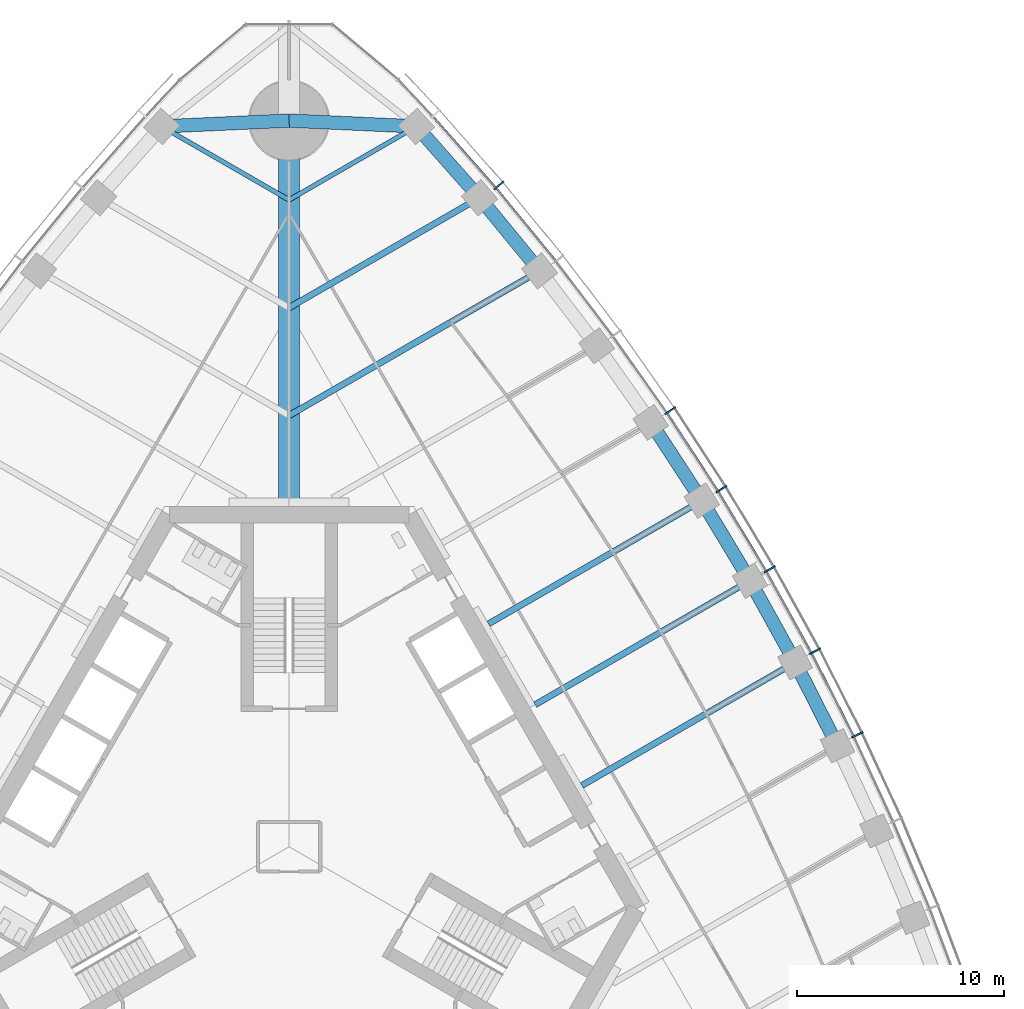
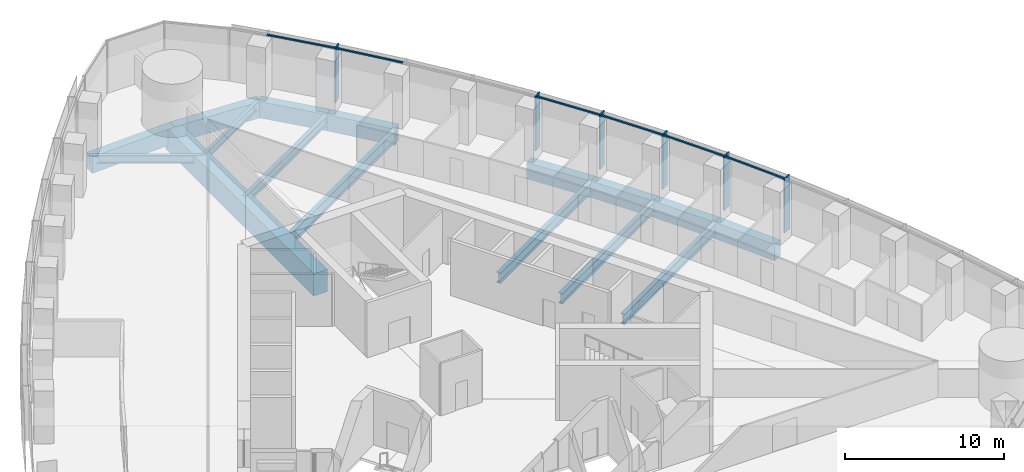
# One storey, part 6 of 21: 16 beams, 12 members, 1 element without a shape of its own.
"""IFC4 building model written with IfcOpenShell, lengths in metres."""

from ifc_helpers import new_model, si_unit, direction, frame, origin, origin_2d, place, context, subcontext, project, spatial, rectangle, i_section, extrude, material, material_profile, profile_set, type_object, element, aggregate, save


model = new_model("IFC4")

# Units and contexts
model_context = context("Model", 3, precision=1e-05, world=origin(), true_north=direction((0.0, 1.0)))
body_context = subcontext(model_context, "Body", "Model", "MODEL_VIEW")
ifc_project = project(units=[si_unit("LENGTHUNIT", "METRE"), si_unit("AREAUNIT", "SQUARE_METRE"), si_unit("VOLUMEUNIT", "CUBIC_METRE"), si_unit("PLANEANGLEUNIT", "RADIAN"), si_unit("MASSUNIT", "GRAM", prefix="KILO")], contexts=[model_context])

# Site, building, storey
site_placement = place(None, origin())
site = spatial("IfcSite", under=ifc_project, at=site_placement, CompositionType="ELEMENT")
building_placement = place(site_placement, origin())
building = spatial("IfcBuilding", under=site, at=building_placement, Name="Trefoil Bronze Tower", CompositionType="ELEMENT")
storey_placement = place(building_placement, frame((0.0, 0.0, 149.300048828125)))
storey = spatial("IfcBuildingStorey", under=building, at=storey_placement, Name="L34", CompositionType="ELEMENT", Elevation=149.300048828125)

# Curtain wall, members
ifc_material_1 = material(Name="Tinted solar-control glass", Category="glass")
curtain_wall_type = type_object("IfcCurtainWallType", Name="Bronze office curtain wall", PredefinedType="USERDEFINED", material=ifc_material_1)
curtain_wall_placement = place(storey_placement, origin())
curtain_wall = element("IfcCurtainWall", 1, at=curtain_wall_placement, inside=storey, type_object=curtain_wall_type, Name="CW-A L34 F2", ObjectType="CURTAIN WALL", PredefinedType="USERDEFINED")
ifc_material_2 = material(Name="Bronze-finish aluminium", Category="aluminium")
ifc_material_profile_1 = material_profile(ifc_material_2, rectangle(XDim=0.60009765625, YDim=0.080078125, at=origin_2d()), Name="CW-A mullion")
ifc_profile_set_1 = profile_set([ifc_material_profile_1], Name="Bronze-finish aluminium")
member_type_1 = type_object("IfcMemberType", Name="Bronze office curtain wall mullion", PredefinedType="MULLION", material=ifc_profile_set_1)
member_1_placement = place(storey_placement, frame((27.394775390625, 5.399169921875, 0.0), z_axis=(0.0, 0.0, 1.0), x_axis=(-0.899819602033, -0.436262173236, 0.0)))
member_1 = element("IfcMember", 2, at=member_1_placement, type_object=member_type_1, Name="CW-A L34 F2 mullion 6", PredefinedType="MULLION", context=body_context, shape_type="SweptSolid", body=[
    extrude(rectangle(XDim=0.60009765625, YDim=0.080078125, at=origin_2d()), origin(), (0.0, 0.0, 1.0), 4.179931640625),
])
member_2_placement = place(storey_placement, frame((25.350830078125, 9.427734375, 0.0), z_axis=(0.0, 0.0, 1.0), x_axis=(-0.883486441467, -0.468456729853, 0.0)))
member_2 = element("IfcMember", 3, at=member_2_placement, type_object=member_type_1, Name="CW-A L34 F2 mullion 7", PredefinedType="MULLION", context=body_context, shape_type="SweptSolid", body=[
    extrude(rectangle(XDim=0.60009765625, YDim=0.080078125, at=origin_2d()), origin(), (0.0, 0.0, 1.0), 4.179931640625),
])
member_3_placement = place(storey_placement, frame((23.166015625, 13.374755859375, 0.0), z_axis=(0.0, 0.0, 1.0), x_axis=(-0.866025403784, -0.5, 0.0)))
member_3 = element("IfcMember", 4, at=member_3_placement, type_object=member_type_1, Name="CW-A L34 F2 mullion 8", PredefinedType="MULLION", context=body_context, shape_type="SweptSolid", body=[
    extrude(rectangle(XDim=0.60009765625, YDim=0.080078125, at=origin_2d()), origin(), (0.0, 0.0, 1.0), 4.179931640625),
])
member_4_placement = place(storey_placement, frame((20.840087890625, 17.24072265625, 0.0), z_axis=(0.0, 0.0, 1.0), x_axis=(-0.84743864936, -0.530893337283, 0.0)))
member_4 = element("IfcMember", 5, at=member_4_placement, type_object=member_type_1, Name="CW-A L34 F2 mullion 9", PredefinedType="MULLION", context=body_context, shape_type="SweptSolid", body=[
    extrude(rectangle(XDim=0.60009765625, YDim=0.080078125, at=origin_2d()), origin(), (0.0, 0.0, 1.0), 4.179931640625),
])
member_5_placement = place(storey_placement, frame((18.373046875, 21.025146484375, 0.0), z_axis=(0.0, 0.0, 1.0), x_axis=(-0.827723925749, -0.561135547566, 0.0)))
member_5 = element("IfcMember", 6, at=member_5_placement, type_object=member_type_1, Name="CW-A L34 F2 mullion 10", PredefinedType="MULLION", context=body_context, shape_type="SweptSolid", body=[
    extrude(rectangle(XDim=0.60009765625, YDim=0.080078125, at=origin_2d()), origin(), (0.0, 0.0, 1.0), 4.179931640625),
])
member_6_placement = place(storey_placement, frame((10.11474609375, 31.8828125, 0.0), z_axis=(0.0, 0.0, 1.0), x_axis=(-0.761721651066, -0.647904411389, 0.0)))
member_6 = element("IfcMember", 7, at=member_6_placement, type_object=member_type_1, Name="CW-A L34 F2 mullion 13", PredefinedType="MULLION", context=body_context, shape_type="SweptSolid", body=[
    extrude(rectangle(XDim=0.60009765625, YDim=0.080078125, at=origin_2d()), origin(), (0.0, 0.0, 1.0), 4.179931640625),
])
ifc_material_3 = material(Name="Bronze-finish aluminium", Category="aluminium")
ifc_material_profile_2 = material_profile(ifc_material_3, rectangle(XDim=0.1201171875, YDim=0.10009765625, at=origin_2d()), Name="CW-A transom")
ifc_profile_set_2 = profile_set([ifc_material_profile_2], Name="Bronze-finish aluminium")
member_type_2 = type_object("IfcMemberType", Name="Bronze office curtain wall transom", PredefinedType="USERDEFINED", material=ifc_profile_set_2)
member_7_placement = place(storey_placement, frame((27.196044921875, 5.34912109375, 4.1298828125), z_axis=(-0.452478489814, 0.891775317138, 0.0), x_axis=(-0.891775317138, -0.452478489814, 0.0)))
member_7 = element("IfcMember", 8, at=member_7_placement, type_object=member_type_2, Name="CW-A L34 F2 transom 6", ObjectType="TRANSOM", PredefinedType="USERDEFINED", context=body_context, shape_type="SweptSolid", body=[
    extrude(rectangle(XDim=0.1201171875, YDim=0.10009765625, at=origin_2d()), origin(), (0.0, 0.0, 1.0), 4.426513671875),
])
member_8_placement = place(storey_placement, frame((25.154052734375, 9.37060546875, 4.1298828125), z_axis=(-0.484329470343, 0.874885686337, 0.0), x_axis=(-0.874885686337, -0.484329470343, 0.0)))
member_8 = element("IfcMember", 9, at=member_8_placement, type_object=member_type_2, Name="CW-A L34 F2 transom 7", ObjectType="TRANSOM", PredefinedType="USERDEFINED", context=body_context, shape_type="SweptSolid", body=[
    extrude(rectangle(XDim=0.1201171875, YDim=0.10009765625, at=origin_2d()), origin(), (0.0, 0.0, 1.0), 4.4208984375),
])
member_9_placement = place(storey_placement, frame((22.97119140625, 13.310546875, 4.1298828125), z_axis=(-0.515526794174, 0.856873458854, 0.0), x_axis=(-0.856873458854, -0.515526794174, 0.0)))
member_9 = element("IfcMember", 10, at=member_9_placement, type_object=member_type_2, Name="CW-A L34 F2 transom 8", ObjectType="TRANSOM", PredefinedType="USERDEFINED", context=body_context, shape_type="SweptSolid", body=[
    extrude(rectangle(XDim=0.1201171875, YDim=0.10009765625, at=origin_2d()), origin(), (0.0, 0.0, 1.0), 4.4208984375),
])
member_10_placement = place(storey_placement, frame((20.647705078125, 17.16943359375, 4.1298828125), z_axis=(-0.546079336226, 0.837733465099, 0.0), x_axis=(-0.837733465099, -0.546079336226, 0.0)))
member_10 = element("IfcMember", 11, at=member_10_placement, type_object=member_type_2, Name="CW-A L34 F2 transom 9", ObjectType="TRANSOM", PredefinedType="USERDEFINED", context=body_context, shape_type="SweptSolid", body=[
    extrude(rectangle(XDim=0.1201171875, YDim=0.10009765625, at=origin_2d()), origin(), (0.0, 0.0, 1.0), 4.426513671875),
])
member_11_placement = place(storey_placement, frame((12.82861328125, 28.255615234375, 4.1298828125), z_axis=(-0.633848872297, 0.773456919995, 0.0), x_axis=(-0.773456919995, -0.633848872297, 0.0)))
member_11 = element("IfcMember", 12, at=member_11_placement, type_object=member_type_2, Name="CW-A L34 F2 transom 12", ObjectType="TRANSOM", PredefinedType="USERDEFINED", context=body_context, shape_type="SweptSolid", body=[
    extrude(rectangle(XDim=0.1201171875, YDim=0.10009765625, at=origin_2d()), origin(), (0.0, 0.0, 1.0), 4.480224609375),
])
member_12_placement = place(storey_placement, frame((9.9345703125, 31.78466796875, 4.1298828125), z_axis=(-0.66173618877, 0.749736764786, 0.0), x_axis=(-0.749736764786, -0.66173618877, 0.0)))
member_12 = element("IfcMember", 13, at=member_12_placement, type_object=member_type_2, Name="CW-A L34 F2 transom 13", ObjectType="TRANSOM", PredefinedType="USERDEFINED", context=body_context, shape_type="SweptSolid", body=[
    extrude(rectangle(XDim=0.1201171875, YDim=0.10009765625, at=origin_2d()), origin(), (0.0, 0.0, 1.0), 4.510986328125),
])
aggregate(curtain_wall, [member_1, member_2, member_3, member_4, member_5, member_6, member_7, member_8, member_9, member_10, member_11, member_12])

# Beams
ifc_material_4 = material(Name="Concrete B80", Category="concrete")
ifc_material_profile_3 = material_profile(ifc_material_4, rectangle(XDim=1.0, YDim=1.699951171875, at=origin_2d()), Name="RC 1000x1700")
ifc_profile_set_3 = profile_set([ifc_material_profile_3], Name="Concrete B80")
beam_type_1 = type_object("IfcBeamType", Name="Corner girder RC 1000x1700", PredefinedType="BEAM", material=ifc_profile_set_3)
beam_1_placement = place(storey_placement, frame((0.0, 16.39990234375, -1.050048828125), z_axis=(0.0, 1.0, 0.0), x_axis=(-1.0, 0.0, 0.0)))
element("IfcBeam", 14, at=beam_1_placement, inside=storey, type_object=beam_type_1, Name="Corner girder K2 L34", PredefinedType="BEAM", context=body_context, shape_type="SweptSolid", body=[
    extrude(rectangle(XDim=1.0, YDim=1.699951171875, at=origin_2d()), origin(), (0.0, 0.0, 1.0), 18.60009765625),
])
ifc_material_5 = material(Name="Concrete B80", Category="concrete")
ifc_material_profile_4 = material_profile(ifc_material_5, rectangle(XDim=0.64990234375, YDim=1.25, at=origin_2d()), Name="RC 650x1250")
ifc_profile_set_4 = profile_set([ifc_material_profile_4], Name="Concrete B80")
beam_type_2 = type_object("IfcBeamType", Name="End spandrel beam RC 650x1250", PredefinedType="SPANDREL", material=ifc_profile_set_4)
for number, where, z_axis, x_axis, name in (
    (15, (6.13916015625, 34.72119140625, -0.824951171875), (-0.998970341464, 0.045368015985, 0.0), (-0.045368015985, -0.998970341464, 0.0), "Spandrel F2.14 L34"),
    (16, (0.0, 35.0, -0.824951171875), (-0.998970341464, -0.045368015985, 0.0), (0.045368015985, -0.998970341464, 0.0), "Spandrel F3.1 L34"),
):
    element("IfcBeam", number, at=place(storey_placement, frame(where, z_axis=z_axis, x_axis=x_axis)), inside=storey, type_object=beam_type_2, Name=name, PredefinedType="SPANDREL", context=body_context, shape_type="SweptSolid", body=[
        extrude(rectangle(XDim=0.64990234375, YDim=1.25, at=origin_2d()), origin(), (0.0, 0.0, 1.0), 6.1455078125),
    ])
ifc_material_6 = material(Name="Steel C355", Category="steel")
ifc_material_profile_5 = material_profile(ifc_material_6, i_section(OverallWidth=0.300048828125, OverallDepth=0.699951171875, WebThickness=0.01708984375, FlangeThickness=0.031982421875, FilletRadius=0.027099609375, at=origin_2d()), Name="HEB 700")
ifc_profile_set_5 = profile_set([ifc_material_profile_5], Name="Steel C355")
beam_type_3 = type_object("IfcBeamType", Name="Floor beam HEB 700", PredefinedType="BEAM", material=ifc_profile_set_5)
beam_2_placement = place(storey_placement, frame((9.181884765625, 31.281982421875, -0.550048828125), z_axis=(-0.866021079084, -0.500007490527, 0.0), x_axis=(0.500007490527, -0.866021079084, 0.0)))
element("IfcBeam", 17, at=beam_2_placement, inside=storey, type_object=beam_type_3, Name="Floor beam F2/+5 L34", PredefinedType="BEAM", context=body_context, shape_type="SweptSolid", body=[
    extrude(i_section(OverallWidth=0.300048828125, OverallDepth=0.699951171875, WebThickness=0.01708984375, FlangeThickness=0.031982421875, FilletRadius=0.027099609375, at=origin_2d()), origin(), (0.0, 0.0, 1.0), 10.602294921875),
])
ifc_material_7 = material(Name="Steel C355", Category="steel")
ifc_material_profile_6 = material_profile(ifc_material_7, i_section(OverallWidth=0.300048828125, OverallDepth=0.800048828125, WebThickness=0.017578125, FlangeThickness=0.032958984375, FilletRadius=0.030029296875, at=origin_2d()), Name="HEB 800")
ifc_profile_set_6 = profile_set([ifc_material_profile_6], Name="Steel C355")
beam_type_4 = type_object("IfcBeamType", Name="Floor beam HEB 800", PredefinedType="BEAM", material=ifc_profile_set_6)
beam_3_placement = place(storey_placement, frame((24.392578125, 8.886962890625, -0.60009765625), z_axis=(-0.866024236736, -0.500002021381, 0.0), x_axis=(0.500002021381, -0.866024236736, 0.0)))
element("IfcBeam", 18, at=beam_3_placement, inside=storey, type_object=beam_type_4, Name="Floor beam F2/-1 L34", PredefinedType="BEAM", context=body_context, shape_type="SweptSolid", body=[
    extrude(i_section(OverallWidth=0.300048828125, OverallDepth=0.800048828125, WebThickness=0.017578125, FlangeThickness=0.032958984375, FilletRadius=0.030029296875, at=origin_2d()), origin(), (0.0, 0.0, 1.0), 11.8681640625),
])
beam_4_placement = place(storey_placement, frame((22.21337890625, 12.824951171875, -0.60009765625), z_axis=(-0.866028062731, -0.499995394541, 0.0), x_axis=(0.499995394541, -0.866028062731, 0.0)))
element("IfcBeam", 19, at=beam_4_placement, inside=storey, type_object=beam_type_4, Name="Floor beam F2/+0 L34", PredefinedType="BEAM", context=body_context, shape_type="SweptSolid", body=[
    extrude(i_section(OverallWidth=0.300048828125, OverallDepth=0.800048828125, WebThickness=0.017578125, FlangeThickness=0.032958984375, FilletRadius=0.030029296875, at=origin_2d()), origin(), (0.0, 0.0, 1.0), 11.94970703125),
])
beam_5_placement = place(storey_placement, frame((19.892578125, 16.68115234375, -0.60009765625), z_axis=(-0.866024236736, -0.500002021381, 0.0), x_axis=(0.500002021381, -0.866024236736, 0.0)))
element("IfcBeam", 20, at=beam_5_placement, inside=storey, type_object=beam_type_4, Name="Floor beam F2/+1 L34", PredefinedType="BEAM", context=body_context, shape_type="SweptSolid", body=[
    extrude(i_section(OverallWidth=0.300048828125, OverallDepth=0.800048828125, WebThickness=0.017578125, FlangeThickness=0.032958984375, FilletRadius=0.030029296875, at=origin_2d()), origin(), (0.0, 0.0, 1.0), 11.8681640625),
])
ifc_material_8 = material(Name="Steel C355", Category="steel")
ifc_material_profile_7 = material_profile(ifc_material_8, i_section(OverallWidth=0.300048828125, OverallDepth=0.89990234375, WebThickness=0.0185546875, FlangeThickness=0.034912109375, FilletRadius=0.030029296875, at=origin_2d()), Name="HEB 900")
ifc_profile_set_7 = profile_set([ifc_material_profile_7], Name="Steel C355")
beam_type_5 = type_object("IfcBeamType", Name="Floor beam HEB 900", PredefinedType="BEAM", material=ifc_profile_set_7)
beam_6_placement = place(storey_placement, frame((12.07666015625, 27.757080078125, -0.650146484375), z_axis=(-0.866026983775, -0.499997263366, 0.0), x_axis=(0.499997263366, -0.866026983775, 0.0)))
element("IfcBeam", 21, at=beam_6_placement, inside=storey, type_object=beam_type_5, Name="Floor beam F2/+4 L34", PredefinedType="BEAM", context=body_context, shape_type="SweptSolid", body=[
    extrude(i_section(OverallWidth=0.300048828125, OverallDepth=0.89990234375, WebThickness=0.0185546875, FlangeThickness=0.034912109375, FilletRadius=0.030029296875, at=origin_2d()), origin(), (0.0, 0.0, 1.0), 13.94482421875),
])
ifc_material_9 = material(Name="Steel C355", Category="steel")
ifc_material_profile_8 = material_profile(ifc_material_9, i_section(OverallWidth=0.219970703125, OverallDepth=0.60009765625, WebThickness=0.011962890625, FlangeThickness=0.01904296875, FilletRadius=0.02392578125, at=origin_2d()), Name="IPE 600")
ifc_profile_set_8 = profile_set([ifc_material_profile_8], Name="Steel C355")
beam_type_6 = type_object("IfcBeamType", Name="Floor beam IPE 600", PredefinedType="BEAM", material=ifc_profile_set_8)
for number, where, z_axis, x_axis, name in (
    (22, (6.13916015625, 34.72119140625, -0.5), (-0.866041060244, -0.499972881236, 0.0), (0.499972881236, -0.866041060244, 0.0), "Floor beam F2/+6 L34"),
    (23, (-6.13916015625, 34.72119140625, -0.5), (0.866041060244, -0.499972881236, 0.0), (0.499972881236, 0.866041060244, 0.0), "Floor beam F3/-6 L34"),
):
    element("IfcBeam", number, at=place(storey_placement, frame(where, z_axis=z_axis, x_axis=x_axis)), inside=storey, type_object=beam_type_6, Name=name, PredefinedType="BEAM", context=body_context, shape_type="SweptSolid", body=[
        extrude(i_section(OverallWidth=0.219970703125, OverallDepth=0.60009765625, WebThickness=0.011962890625, FlangeThickness=0.01904296875, FilletRadius=0.02392578125, at=origin_2d()), origin(), (0.0, 0.0, 1.0), 7.0888671875),
    ])
ifc_material_10 = material(Name="Concrete B80", Category="concrete")
ifc_material_profile_9 = material_profile(ifc_material_10, rectangle(XDim=0.64990234375, YDim=1.25, at=origin_2d()), Name="RC 650x1250")
ifc_profile_set_9 = profile_set([ifc_material_profile_9], Name="Concrete B80")
beam_type_7 = type_object("IfcBeamType", Name="Spandrel beam RC 650x1250", PredefinedType="SPANDREL", material=ifc_profile_set_9)
beam_7_placement = place(storey_placement, frame((26.43017578125, 4.8671875, -0.824951171875), z_axis=(-0.452125717735, 0.891954222683, 0.0), x_axis=(-0.891954222683, -0.452125717735, 0.0)))
element("IfcBeam", 24, at=beam_7_placement, inside=storey, type_object=beam_type_7, Name="Spandrel F2.6 L34", PredefinedType="SPANDREL", context=body_context, shape_type="SweptSolid", body=[
    extrude(rectangle(XDim=0.64990234375, YDim=1.25, at=origin_2d()), origin(), (0.0, 0.0, 1.0), 4.506591796875),
])
for number, where, z_axis, x_axis, name in (
    (25, (24.392578125, 8.886962890625, -0.824951171875), (-0.484186866546, 0.874964615436, 0.0), (-0.874964615436, -0.484186866546, 0.0), "Spandrel F2.7 L34"),
    (26, (22.21337890625, 12.824951171875, -0.824951171875), (-0.515651979972, 0.856798129988, 0.0), (-0.856798129988, -0.515651979972, 0.0), "Spandrel F2.8 L34"),
):
    element("IfcBeam", number, at=place(storey_placement, frame(where, z_axis=z_axis, x_axis=x_axis)), inside=storey, type_object=beam_type_7, Name=name, PredefinedType="SPANDREL", context=body_context, shape_type="SweptSolid", body=[
        extrude(rectangle(XDim=0.64990234375, YDim=1.25, at=origin_2d()), origin(), (0.0, 0.0, 1.0), 4.500732421875),
    ])
beam_8_placement = place(storey_placement, frame((19.892578125, 16.68115234375, -0.824951171875), z_axis=(-0.546396670296, 0.83752652417, 0.0), x_axis=(-0.83752652417, -0.546396670296, 0.0)))
element("IfcBeam", 27, at=beam_8_placement, inside=storey, type_object=beam_type_7, Name="Spandrel F2.9 L34", PredefinedType="SPANDREL", context=body_context, shape_type="SweptSolid", body=[
    extrude(rectangle(XDim=0.64990234375, YDim=1.25, at=origin_2d()), origin(), (0.0, 0.0, 1.0), 4.506591796875),
])
beam_9_placement = place(storey_placement, frame((12.07666015625, 27.757080078125, -0.824951171875), z_axis=(-0.634650386838, 0.772799383079, 0.0), x_axis=(-0.772799383079, -0.634650386838, 0.0)))
element("IfcBeam", 28, at=beam_9_placement, inside=storey, type_object=beam_type_7, Name="Spandrel F2.12 L34", PredefinedType="SPANDREL", context=body_context, shape_type="SweptSolid", body=[
    extrude(rectangle(XDim=0.64990234375, YDim=1.25, at=origin_2d()), origin(), (0.0, 0.0, 1.0), 4.561279296875),
])
beam_10_placement = place(storey_placement, frame((9.181884765625, 31.281982421875, -0.824951171875), z_axis=(-0.662616326239, 0.748959013699, 0.0), x_axis=(-0.748959013699, -0.662616326239, 0.0)))
element("IfcBeam", 29, at=beam_10_placement, inside=storey, type_object=beam_type_7, Name="Spandrel F2.13 L34", PredefinedType="SPANDREL", context=body_context, shape_type="SweptSolid", body=[
    extrude(rectangle(XDim=0.64990234375, YDim=1.25, at=origin_2d()), origin(), (0.0, 0.0, 1.0), 4.592041015625),
])

save(model, "model.ifc")
